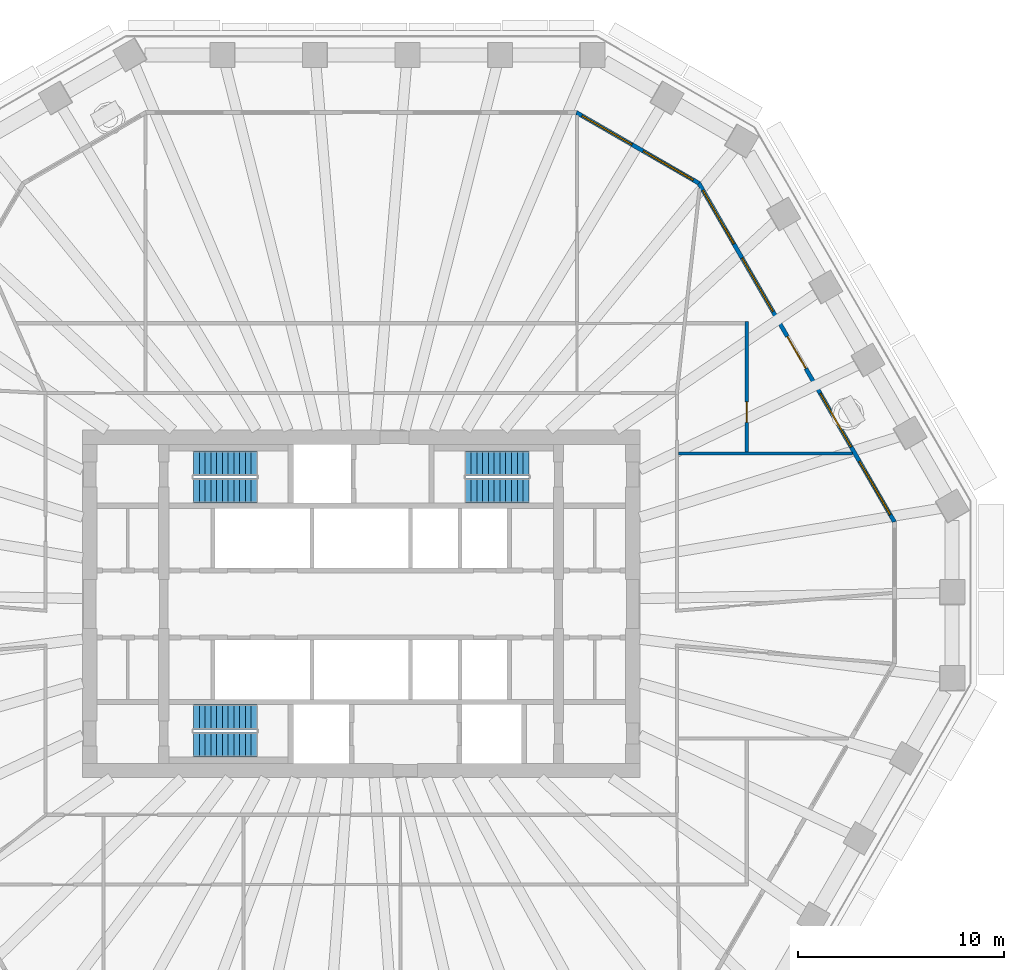
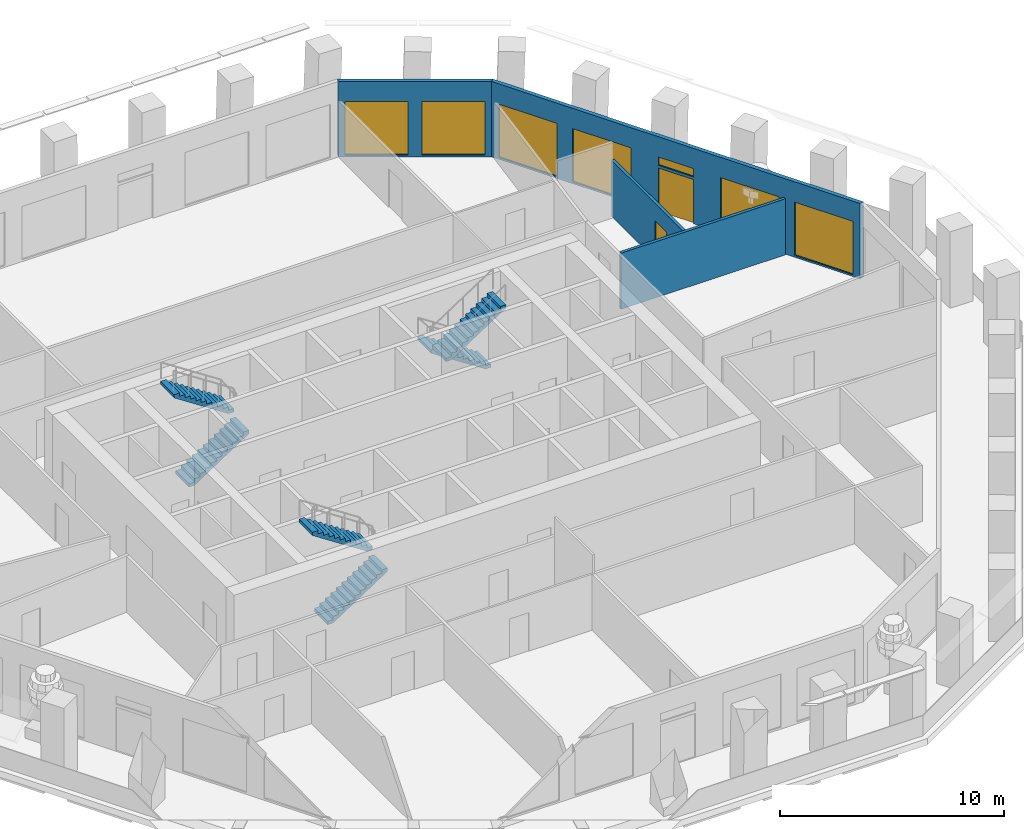
# One storey, part 8 of 12: 7 windows, 6 stair flights, 4 walls, 2 doors, 9 openings, 3 elements without a shape of their own.
"""IFC4 building model written with IfcOpenShell, lengths in metres."""

from ifc_helpers import new_model, si_unit, direction, frame, frame_2d, origin, place, context, subcontext, project, spatial, polyline, rectangle, outline, extrude, material, layer, layer_set, type_object, element, fill, aggregate, save


model = new_model("IFC4")

# Units and contexts
model_context = context("Model", 3, precision=1e-05, world=origin(), true_north=direction((0.0, 1.0)))
body_context = subcontext(model_context, "Body", "Model", "MODEL_VIEW")
ifc_project = project(units=[si_unit("LENGTHUNIT", "METRE"), si_unit("AREAUNIT", "SQUARE_METRE"), si_unit("VOLUMEUNIT", "CUBIC_METRE"), si_unit("PLANEANGLEUNIT", "RADIAN"), si_unit("MASSUNIT", "GRAM", prefix="KILO")], contexts=[model_context])

# Site, building, storey
site_placement = place(None, origin())
site = spatial("IfcSite", under=ifc_project, at=site_placement, CompositionType="ELEMENT")
building_placement = place(site_placement, origin())
building = spatial("IfcBuilding", under=site, at=building_placement, Name="Frailejon Research Tower", CompositionType="ELEMENT")
storey_placement = place(building_placement, frame((0.0, 0.0, 162.800048828125)))
storey = spatial("IfcBuildingStorey", under=building, at=storey_placement, Name="L35", CompositionType="ELEMENT", Elevation=162.800048828125)

# Wall
ifc_material_1 = material(Name="Gypsum board and masonry partition", Category="masonry")
ifc_layer_1 = layer(ifc_material_1, 0.14990234375)
ifc_layer_set_1 = layer_set([ifc_layer_1], Name="Laboratory partition, blockwork 150")
wall_type_1 = type_object("IfcWallType", Name="Laboratory partition, blockwork 150", PredefinedType="PARTITIONING", material=ifc_layer_set_1)
wall_1_placement = place(storey_placement, frame((15.425048828125, 7.32080078125, 0.0), z_axis=(0.0, 0.0, 1.0), x_axis=(1.0, 0.0, 0.0)))
element("IfcWall", 1, at=wall_1_placement, inside=storey, type_object=wall_type_1, Name="T:IW:L35:011", PredefinedType="PARTITIONING", context=body_context, shape_type="SweptSolid", body=[
    extrude(rectangle(XDim=8.46875, YDim=0.14990234375, at=frame_2d((4.234375, 0.0))), origin(), (0.0, 0.0, 1.0), 3.050048828125),
])

# Wall, opening, door
wall_2_placement = place(storey_placement, frame((18.75, 7.39599609375, 0.0), z_axis=(0.0, 0.0, 1.0), x_axis=(0.0, 1.0, 0.0)))
wall_2 = element("IfcWall", 2, at=wall_2_placement, inside=storey, type_object=wall_type_1, Name="T:IW:L35:015", PredefinedType="PARTITIONING", context=body_context, shape_type="SweptSolid", body=[
    extrude(rectangle(XDim=6.3291015625, YDim=0.14990234375, at=frame_2d((3.16455078125, 0.0))), origin(), (0.0, 0.0, 1.0), 3.050048828125),
])
opening_1_placement = place(wall_2_placement, frame((1.432373046875, 0.0, 0.0)))
opening_1 = element("IfcOpeningElement", 3, at=opening_1_placement, cuts=wall_2, Name="Opening D1759", PredefinedType="OPENING", context=body_context, shape_type="SweptSolid", body=[
    extrude(rectangle(XDim=1.0, YDim=2.10009765625, at=frame_2d((0.5, 1.050048828125))), frame((0.0, 0.0849609375, 0.0), z_axis=(0.0, -1.0, 0.0), x_axis=(1.0, 0.0, 0.0)), (0.0, 0.0, 1.0), 0.169921875),
])
ifc_material_2 = material(Name="Timber door leaf", Category="wood")
door_type_1 = type_object("IfcDoorType", Name="Door laboratory, timber, vision panel 1000", OperationType="NOTDEFINED", PredefinedType="DOOR", material=ifc_material_2)
door_1_placement = place(opening_1_placement, origin())
door_1 = element("IfcDoor", 4, at=door_1_placement, inside=storey, type_object=door_type_1, Name="D1759", OperationType="SINGLE_SWING_RIGHT", OverallHeight=2.10009765625, OverallWidth=1.0, PredefinedType="DOOR", context=body_context, shape_type="SweptSolid", body=[
    extrude(rectangle(XDim=1.0, YDim=2.10009765625, at=frame_2d((0.5, 1.050048828125))), frame((0.0, 0.02490234375, 0.0), z_axis=(0.0, -1.0, 0.0), x_axis=(1.0, 0.0, 0.0)), (0.0, 0.0, 1.0), 0.050048828125),
])
fill(opening_1, door_1)

# Wall, openings, door, windows
ifc_material_3 = material(Name="Concrete C40/50 precast window wall panel", Category="concrete")
ifc_layer_2 = layer(ifc_material_3, 0.199951171875)
ifc_layer_set_2 = layer_set([ifc_layer_2], Name="Window wall 200")
wall_type_2 = type_object("IfcWallType", Name="Window wall 200", PredefinedType="SOLIDWALL", material=ifc_layer_set_2)
wall_3_placement = place(storey_placement, frame((25.93212890625, 3.990478515625, 0.0), z_axis=(0.0, 0.0, 1.0), x_axis=(-0.500001707189, 0.866024418136, 0.0)))
wall_3 = element("IfcWall", 5, at=wall_3_placement, inside=storey, type_object=wall_type_2, Name="Exterior wall L35", PredefinedType="SOLIDWALL", context=body_context, shape_type="SweptSolid", body=[
    extrude(outline(polyline([(-0.02685546875, -0.10009765625), (0.97705078125, -0.10009765625), (1.98095703125, -0.10009765625), (2.98486328125, -0.10009765625), (3.98876953125, -0.10009765625), (4.99267578125, -0.10009765625), (5.99658203125, -0.10009765625), (7.00048828125, -0.10009765625), (8.00439453125, -0.10009765625), (9.00830078125, -0.10009765625), (10.01220703125, -0.10009765625), (11.01611328125, -0.10009765625), (12.02001953125, -0.10009765625), (13.02392578125, -0.10009765625), (14.02783203125, -0.10009765625), (15.03173828125, -0.10009765625), (16.03564453125, -0.10009765625), (17.03955078125, -0.10009765625), (18.04345703125, -0.10009765625), (19.04736328125, -0.10009765625), (18.99365234375, 0.10009765625), (17.995361328125, 0.10009765625), (16.9970703125, 0.10009765625), (15.998779296875, 0.10009765625), (15.000732421875, 0.10009765625), (14.00244140625, 0.10009765625), (13.004150390625, 0.10009765625), (12.005859375, 0.10009765625), (11.007568359375, 0.10009765625), (10.00927734375, 0.10009765625), (9.01123046875, 0.10009765625), (8.012939453125, 0.10009765625), (7.0146484375, 0.10009765625), (6.016357421875, 0.10009765625), (5.01806640625, 0.10009765625), (4.019775390625, 0.10009765625), (3.021728515625, 0.10009765625), (2.0234375, 0.10009765625), (1.025146484375, 0.10009765625), (0.02685546875, 0.10009765625), (-0.02685546875, -0.10009765625)])), origin(), (0.0, 0.0, 1.0), 4.099853515625),
])
opening_2_placement = place(wall_3_placement, frame((0.402099609375, 0.0, 0.10009765625)))
opening_2 = element("IfcOpeningElement", 6, at=opening_2_placement, cuts=wall_3, Name="Opening W4", PredefinedType="OPENING", context=body_context, shape_type="SweptSolid", body=[
    extrude(rectangle(XDim=3.0, YDim=2.89990234375, at=frame_2d((1.5, 1.449951171875))), frame((0.0, 0.10986328125, 0.0), z_axis=(0.0, -1.0, 0.0), x_axis=(1.0, 0.0, 0.0)), (0.0, 0.0, 1.0), 0.219970703125),
])
opening_3_placement = place(wall_3_placement, frame((4.206298828125, 0.0, 0.10009765625)))
opening_3 = element("IfcOpeningElement", 7, at=opening_3_placement, cuts=wall_3, Name="Opening W4", PredefinedType="OPENING", context=body_context, shape_type="SweptSolid", body=[
    extrude(rectangle(XDim=3.0, YDim=2.89990234375, at=frame_2d((1.5, 1.449951171875))), frame((0.0, 0.10986328125, 0.0), z_axis=(0.0, -1.0, 0.0), x_axis=(1.0, 0.0, 0.0)), (0.0, 0.0, 1.0), 0.219970703125),
])
opening_4_placement = place(wall_3_placement, frame((8.6103515625, 0.0, 0.0)))
opening_4 = element("IfcOpeningElement", 8, at=opening_4_placement, cuts=wall_3, Name="Opening LG35-1", PredefinedType="OPENING", context=body_context, shape_type="SweptSolid", body=[
    extrude(rectangle(XDim=1.800048828125, YDim=2.39990234375, at=frame_2d((0.89990234375, 1.199951171875))), frame((0.0, 0.10986328125, 0.0), z_axis=(0.0, -1.0, 0.0), x_axis=(1.0, 0.0, 0.0)), (0.0, 0.0, 1.0), 0.219970703125),
])
opening_5_placement = place(wall_3_placement, frame((8.6103515625, 0.0, 2.550048828125)))
opening_5 = element("IfcOpeningElement", 9, at=opening_5_placement, cuts=wall_3, Name="Opening W1", PredefinedType="OPENING", context=body_context, shape_type="SweptSolid", body=[
    extrude(rectangle(XDim=1.800048828125, YDim=0.449951171875, at=frame_2d((0.89990234375, 0.22509765625))), frame((0.0, 0.10986328125, 0.0), z_axis=(0.0, -1.0, 0.0), x_axis=(1.0, 0.0, 0.0)), (0.0, 0.0, 1.0), 0.219970703125),
])
opening_6_placement = place(wall_3_placement, frame((11.814453125, 0.0, 0.10009765625)))
opening_6 = element("IfcOpeningElement", 10, at=opening_6_placement, cuts=wall_3, Name="Opening W4", PredefinedType="OPENING", context=body_context, shape_type="SweptSolid", body=[
    extrude(rectangle(XDim=3.0, YDim=2.89990234375, at=frame_2d((1.5, 1.449951171875))), frame((0.0, 0.10986328125, 0.0), z_axis=(0.0, -1.0, 0.0), x_axis=(1.0, 0.0, 0.0)), (0.0, 0.0, 1.0), 0.219970703125),
])
opening_7_placement = place(wall_3_placement, frame((15.618408203125, 0.0, 0.10009765625)))
opening_7 = element("IfcOpeningElement", 11, at=opening_7_placement, cuts=wall_3, Name="Opening W4", PredefinedType="OPENING", context=body_context, shape_type="SweptSolid", body=[
    extrude(rectangle(XDim=3.0, YDim=2.89990234375, at=frame_2d((1.5, 1.449951171875))), frame((0.0, 0.10986328125, 0.0), z_axis=(0.0, -1.0, 0.0), x_axis=(1.0, 0.0, 0.0)), (0.0, 0.0, 1.0), 0.219970703125),
])
ifc_material_4 = material(Name="Aluminium framed glazed door leaf", Category="aluminium")
door_type_2 = type_object("IfcDoorType", Name="Loggia door 1800x2400", OperationType="DOUBLE_DOOR_SINGLE_SWING", PredefinedType="DOOR", material=ifc_material_4)
door_2_placement = place(opening_4_placement, origin())
door_2 = element("IfcDoor", 12, at=door_2_placement, inside=storey, type_object=door_type_2, Name="Door LG35-1", OperationType="DOUBLE_DOOR_SINGLE_SWING", OverallHeight=2.39990234375, OverallWidth=1.800048828125, PredefinedType="DOOR", context=body_context, shape_type="SweptSolid", body=[
    extrude(rectangle(XDim=1.800048828125, YDim=2.39990234375, at=frame_2d((0.89990234375, 1.199951171875))), frame((0.0, 0.02490234375, 0.0), z_axis=(0.0, -1.0, 0.0), x_axis=(1.0, 0.0, 0.0)), (0.0, 0.0, 1.0), 0.050048828125),
])
fill(opening_4, door_2)
ifc_material_5 = material(Name="Aluminium framed double glazing", Category="aluminium")
window_type_1 = type_object("IfcWindowType", Name="Window 1800x450", PartitioningType="SINGLE_PANEL", PredefinedType="WINDOW", material=ifc_material_5)
window_1_placement = place(opening_5_placement, origin())
window_1 = element("IfcWindow", 13, at=window_1_placement, inside=storey, type_object=window_type_1, Name="Window L35", OverallHeight=0.449951171875, OverallWidth=1.800048828125, PartitioningType="SINGLE_PANEL", PredefinedType="WINDOW", context=body_context, shape_type="SweptSolid", body=[
    extrude(rectangle(XDim=1.800048828125, YDim=0.449951171875, at=frame_2d((0.89990234375, 0.22509765625))), frame((0.0, 0.030029296875, 0.0), z_axis=(0.0, -1.0, 0.0), x_axis=(1.0, 0.0, 0.0)), (0.0, 0.0, 1.0), 0.06005859375),
])
fill(opening_5, window_1)
ifc_material_6 = material(Name="Aluminium framed double glazing", Category="aluminium")
window_type_2 = type_object("IfcWindowType", Name="Window 3000x2900", PartitioningType="SINGLE_PANEL", PredefinedType="WINDOW", material=ifc_material_6)
window_2_placement = place(opening_2_placement, origin())
window_2 = element("IfcWindow", 14, at=window_2_placement, inside=storey, type_object=window_type_2, Name="Window L35", OverallHeight=2.89990234375, OverallWidth=3.0, PartitioningType="SINGLE_PANEL", PredefinedType="WINDOW", context=body_context, shape_type="SweptSolid", body=[
    extrude(rectangle(XDim=3.0, YDim=2.89990234375, at=frame_2d((1.5, 1.449951171875))), frame((0.0, 0.030029296875, 0.0), z_axis=(0.0, -1.0, 0.0), x_axis=(1.0, 0.0, 0.0)), (0.0, 0.0, 1.0), 0.06005859375),
])
fill(opening_2, window_2)
window_3_placement = place(opening_3_placement, origin())
window_3 = element("IfcWindow", 15, at=window_3_placement, inside=storey, type_object=window_type_2, Name="Window L35", OverallHeight=2.89990234375, OverallWidth=3.0, PartitioningType="SINGLE_PANEL", PredefinedType="WINDOW", context=body_context, shape_type="SweptSolid", body=[
    extrude(rectangle(XDim=3.0, YDim=2.89990234375, at=frame_2d((1.5, 1.449951171875))), frame((0.0, 0.030029296875, 0.0), z_axis=(0.0, -1.0, 0.0), x_axis=(1.0, 0.0, 0.0)), (0.0, 0.0, 1.0), 0.06005859375),
])
fill(opening_3, window_3)
window_4_placement = place(opening_6_placement, origin())
window_4 = element("IfcWindow", 16, at=window_4_placement, inside=storey, type_object=window_type_2, Name="Window L35", OverallHeight=2.89990234375, OverallWidth=3.0, PartitioningType="SINGLE_PANEL", PredefinedType="WINDOW", context=body_context, shape_type="SweptSolid", body=[
    extrude(rectangle(XDim=3.0, YDim=2.89990234375, at=frame_2d((1.5, 1.449951171875))), frame((0.0, 0.030029296875, 0.0), z_axis=(0.0, -1.0, 0.0), x_axis=(1.0, 0.0, 0.0)), (0.0, 0.0, 1.0), 0.06005859375),
])
fill(opening_6, window_4)
window_5_placement = place(opening_7_placement, origin())
window_5 = element("IfcWindow", 17, at=window_5_placement, inside=storey, type_object=window_type_2, Name="Window L35", OverallHeight=2.89990234375, OverallWidth=3.0, PartitioningType="SINGLE_PANEL", PredefinedType="WINDOW", context=body_context, shape_type="SweptSolid", body=[
    extrude(rectangle(XDim=3.0, YDim=2.89990234375, at=frame_2d((1.5, 1.449951171875))), frame((0.0, 0.030029296875, 0.0), z_axis=(0.0, -1.0, 0.0), x_axis=(1.0, 0.0, 0.0)), (0.0, 0.0, 1.0), 0.06005859375),
])
fill(opening_7, window_5)

# Wall, openings, windows
wall_4_placement = place(storey_placement, frame((16.421875, 20.462646484375, 0.0), z_axis=(0.0, 0.0, 1.0), x_axis=(-0.866029458321, 0.49999297727, 0.0)))
wall_4 = element("IfcWall", 18, at=wall_4_placement, inside=storey, type_object=wall_type_2, Name="Exterior wall L35", PredefinedType="SOLIDWALL", context=body_context, shape_type="SweptSolid", body=[
    extrude(outline(polyline([(-0.02685546875, -0.10009765625), (1.1279296875, -0.10009765625), (2.282470703125, -0.10009765625), (3.437255859375, -0.10009765625), (4.592041015625, -0.10009765625), (5.74658203125, -0.10009765625), (6.9013671875, -0.10009765625), (6.84765625, 0.10009765625), (5.7109375, 0.10009765625), (4.573974609375, 0.10009765625), (3.437255859375, 0.10009765625), (2.300537109375, 0.10009765625), (1.16357421875, 0.10009765625), (0.02685546875, 0.10009765625), (-0.02685546875, -0.10009765625)])), origin(), (0.0, 0.0, 1.0), 4.099853515625),
])
opening_8_placement = place(wall_4_placement, frame((0.318603515625, 0.0, 0.10009765625)))
opening_8 = element("IfcOpeningElement", 19, at=opening_8_placement, cuts=wall_4, Name="Opening W3", PredefinedType="OPENING", context=body_context, shape_type="SweptSolid", body=[
    extrude(rectangle(XDim=2.800048828125, YDim=2.89990234375, at=frame_2d((1.39990234375, 1.449951171875))), frame((0.0, 0.10986328125, 0.0), z_axis=(0.0, -1.0, 0.0), x_axis=(1.0, 0.0, 0.0)), (0.0, 0.0, 1.0), 0.219970703125),
])
opening_9_placement = place(wall_4_placement, frame((3.756103515625, 0.0, 0.10009765625)))
opening_9 = element("IfcOpeningElement", 20, at=opening_9_placement, cuts=wall_4, Name="Opening W3", PredefinedType="OPENING", context=body_context, shape_type="SweptSolid", body=[
    extrude(rectangle(XDim=2.800048828125, YDim=2.89990234375, at=frame_2d((1.39990234375, 1.449951171875))), frame((0.0, 0.10986328125, 0.0), z_axis=(0.0, -1.0, 0.0), x_axis=(1.0, 0.0, 0.0)), (0.0, 0.0, 1.0), 0.219970703125),
])
ifc_material_7 = material(Name="Aluminium framed double glazing", Category="aluminium")
window_type_3 = type_object("IfcWindowType", Name="Window 2800x2900", PartitioningType="SINGLE_PANEL", PredefinedType="WINDOW", material=ifc_material_7)
window_6_placement = place(opening_8_placement, origin())
window_6 = element("IfcWindow", 21, at=window_6_placement, inside=storey, type_object=window_type_3, Name="Window L35", OverallHeight=2.89990234375, OverallWidth=2.800048828125, PartitioningType="SINGLE_PANEL", PredefinedType="WINDOW", context=body_context, shape_type="SweptSolid", body=[
    extrude(rectangle(XDim=2.800048828125, YDim=2.89990234375, at=frame_2d((1.39990234375, 1.449951171875))), frame((0.0, 0.030029296875, 0.0), z_axis=(0.0, -1.0, 0.0), x_axis=(1.0, 0.0, 0.0)), (0.0, 0.0, 1.0), 0.06005859375),
])
fill(opening_8, window_6)
window_7_placement = place(opening_9_placement, origin())
window_7 = element("IfcWindow", 22, at=window_7_placement, inside=storey, type_object=window_type_3, Name="Window L35", OverallHeight=2.89990234375, OverallWidth=2.800048828125, PartitioningType="SINGLE_PANEL", PredefinedType="WINDOW", context=body_context, shape_type="SweptSolid", body=[
    extrude(rectangle(XDim=2.800048828125, YDim=2.89990234375, at=frame_2d((1.39990234375, 1.449951171875))), frame((0.0, 0.030029296875, 0.0), z_axis=(0.0, -1.0, 0.0), x_axis=(1.0, 0.0, 0.0)), (0.0, 0.0, 1.0), 0.06005859375),
])
fill(opening_9, window_7)

# Stair, stair flights
ifc_material_8 = material(Name="Concrete C50/60", Category="concrete")
stair_type = type_object("IfcStairType", Name="Exit stair 24 risers", PredefinedType="HALF_TURN_STAIR", material=ifc_material_8)
stair_1_placement = place(storey_placement, origin())
stair_1 = element("IfcStair", 23, at=stair_1_placement, inside=storey, type_object=stair_type, Name="L35 Exit stair ST1", PredefinedType="HALF_TURN_STAIR")
ifc_material_9 = material(Name="Concrete C50/60", Category="concrete")
ifc_layer_3 = layer(ifc_material_9, 0.14990234375)
ifc_layer_set_3 = layer_set([ifc_layer_3], Name="Stair flight 12 risers")
stair_flight_type = type_object("IfcStairFlightType", Name="Stair flight 12 risers", PredefinedType="STRAIGHT", material=ifc_layer_set_3)
stair_flight_1_placement = place(storey_placement, frame((-8.14990234375, 5.5, 0.0), z_axis=(0.0, 0.0, 1.0), x_axis=(1.0, 0.0, 0.0)))
stair_flight_1 = element("IfcStairFlight", 24, at=stair_flight_1_placement, type_object=stair_flight_type, Name="ST1 flight 1", NumberOfRisers=12, NumberOfTreads=11, PredefinedType="STRAIGHT", RiserHeight=0.183333333, TreadLength=0.28, context=body_context, shape_type="SweptSolid", body=[
    extrude(outline(polyline([(0.0, 0.0), (0.0, 0.183349609375), (0.280029296875, 0.183349609375), (0.280029296875, 0.36669921875), (0.56005859375, 0.36669921875), (0.56005859375, 0.550048828125), (0.840087890625, 0.550048828125), (0.840087890625, 0.7333984375), (1.1201171875, 0.7333984375), (1.1201171875, 0.916748046875), (1.39990234375, 0.916748046875), (1.39990234375, 1.10009765625), (1.679931640625, 1.10009765625), (1.679931640625, 1.283447265625), (1.9599609375, 1.283447265625), (1.9599609375, 1.466552734375), (2.239990234375, 1.466552734375), (2.239990234375, 1.64990234375), (2.52001953125, 1.64990234375), (2.52001953125, 1.833251953125), (2.800048828125, 1.833251953125), (2.800048828125, 2.0166015625), (3.080078125, 2.0166015625), (3.080078125, 2.199951171875), (3.080078125, 1.83740234375), (0.273681640625, 0.0), (0.0, 0.0)])), frame((0.0, 0.60009765625, 0.0), z_axis=(0.0, -1.0, 0.0), x_axis=(1.0, 0.0, 0.0)), (0.0, 0.0, 1.0), 1.199951171875),
])
stair_flight_2_placement = place(storey_placement, frame((-5.070068359375, 6.85009765625, 2.199951171875), z_axis=(0.0, 0.0, 1.0), x_axis=(-1.0, 0.0, 0.0)))
stair_flight_2 = element("IfcStairFlight", 25, at=stair_flight_2_placement, type_object=stair_flight_type, Name="ST1 flight 2", NumberOfRisers=12, NumberOfTreads=11, PredefinedType="STRAIGHT", RiserHeight=0.183333333, TreadLength=0.28, context=body_context, shape_type="SweptSolid", body=[
    extrude(outline(polyline([(0.0, 0.0), (0.0, 0.183349609375), (0.280029296875, 0.183349609375), (0.280029296875, 0.36669921875), (0.56005859375, 0.36669921875), (0.56005859375, 0.550048828125), (0.840087890625, 0.550048828125), (0.840087890625, 0.7333984375), (1.1201171875, 0.7333984375), (1.1201171875, 0.916748046875), (1.39990234375, 0.916748046875), (1.39990234375, 1.10009765625), (1.679931640625, 1.10009765625), (1.679931640625, 1.283447265625), (1.9599609375, 1.283447265625), (1.9599609375, 1.466552734375), (2.239990234375, 1.466552734375), (2.239990234375, 1.64990234375), (2.52001953125, 1.64990234375), (2.52001953125, 1.833251953125), (2.800048828125, 1.833251953125), (2.800048828125, 2.0166015625), (3.080078125, 2.0166015625), (3.080078125, 2.199951171875), (3.080078125, 1.83740234375), (0.273681640625, 0.0), (0.0, 0.0)])), frame((0.0, 0.60009765625, 0.0), z_axis=(0.0, -1.0, 0.0), x_axis=(1.0, 0.0, 0.0)), (0.0, 0.0, 1.0), 1.199951171875),
])
aggregate(stair_1, [stair_flight_1, stair_flight_2])

stair_2_placement = place(storey_placement, origin())
stair_2 = element("IfcStair", 26, at=stair_2_placement, inside=storey, type_object=stair_type, Name="L35 Exit stair ST2", PredefinedType="HALF_TURN_STAIR")
stair_flight_3_placement = place(storey_placement, frame((-8.14990234375, -6.85009765625, 0.0), z_axis=(0.0, 0.0, 1.0), x_axis=(1.0, 0.0, 0.0)))
stair_flight_3 = element("IfcStairFlight", 27, at=stair_flight_3_placement, type_object=stair_flight_type, Name="ST2 flight 1", NumberOfRisers=12, NumberOfTreads=11, PredefinedType="STRAIGHT", RiserHeight=0.183333333, TreadLength=0.28, context=body_context, shape_type="SweptSolid", body=[
    extrude(outline(polyline([(0.0, 0.0), (0.0, 0.183349609375), (0.280029296875, 0.183349609375), (0.280029296875, 0.36669921875), (0.56005859375, 0.36669921875), (0.56005859375, 0.550048828125), (0.840087890625, 0.550048828125), (0.840087890625, 0.7333984375), (1.1201171875, 0.7333984375), (1.1201171875, 0.916748046875), (1.39990234375, 0.916748046875), (1.39990234375, 1.10009765625), (1.679931640625, 1.10009765625), (1.679931640625, 1.283447265625), (1.9599609375, 1.283447265625), (1.9599609375, 1.466552734375), (2.239990234375, 1.466552734375), (2.239990234375, 1.64990234375), (2.52001953125, 1.64990234375), (2.52001953125, 1.833251953125), (2.800048828125, 1.833251953125), (2.800048828125, 2.0166015625), (3.080078125, 2.0166015625), (3.080078125, 2.199951171875), (3.080078125, 1.83740234375), (0.273681640625, 0.0), (0.0, 0.0)])), frame((0.0, 0.60009765625, 0.0), z_axis=(0.0, -1.0, 0.0), x_axis=(1.0, 0.0, 0.0)), (0.0, 0.0, 1.0), 1.199951171875),
])
stair_flight_4_placement = place(storey_placement, frame((-5.070068359375, -5.5, 2.199951171875), z_axis=(0.0, 0.0, 1.0), x_axis=(-1.0, 0.0, 0.0)))
stair_flight_4 = element("IfcStairFlight", 28, at=stair_flight_4_placement, type_object=stair_flight_type, Name="ST2 flight 2", NumberOfRisers=12, NumberOfTreads=11, PredefinedType="STRAIGHT", RiserHeight=0.183333333, TreadLength=0.28, context=body_context, shape_type="SweptSolid", body=[
    extrude(outline(polyline([(0.0, 0.0), (0.0, 0.183349609375), (0.280029296875, 0.183349609375), (0.280029296875, 0.36669921875), (0.56005859375, 0.36669921875), (0.56005859375, 0.550048828125), (0.840087890625, 0.550048828125), (0.840087890625, 0.7333984375), (1.1201171875, 0.7333984375), (1.1201171875, 0.916748046875), (1.39990234375, 0.916748046875), (1.39990234375, 1.10009765625), (1.679931640625, 1.10009765625), (1.679931640625, 1.283447265625), (1.9599609375, 1.283447265625), (1.9599609375, 1.466552734375), (2.239990234375, 1.466552734375), (2.239990234375, 1.64990234375), (2.52001953125, 1.64990234375), (2.52001953125, 1.833251953125), (2.800048828125, 1.833251953125), (2.800048828125, 2.0166015625), (3.080078125, 2.0166015625), (3.080078125, 2.199951171875), (3.080078125, 1.83740234375), (0.273681640625, 0.0), (0.0, 0.0)])), frame((0.0, 0.60009765625, 0.0), z_axis=(0.0, -1.0, 0.0), x_axis=(1.0, 0.0, 0.0)), (0.0, 0.0, 1.0), 1.199951171875),
])
aggregate(stair_2, [stair_flight_3, stair_flight_4])

stair_3_placement = place(storey_placement, origin())
stair_3 = element("IfcStair", 29, at=stair_3_placement, inside=storey, type_object=stair_type, Name="L35 Exit stair ST3", PredefinedType="HALF_TURN_STAIR")
stair_flight_5_placement = place(storey_placement, frame((8.14990234375, 6.85009765625, 0.0), z_axis=(0.0, 0.0, 1.0), x_axis=(-1.0, 0.0, 0.0)))
stair_flight_5 = element("IfcStairFlight", 30, at=stair_flight_5_placement, type_object=stair_flight_type, Name="ST3 flight 1", NumberOfRisers=12, NumberOfTreads=11, PredefinedType="STRAIGHT", RiserHeight=0.183333333, TreadLength=0.28, context=body_context, shape_type="SweptSolid", body=[
    extrude(outline(polyline([(0.0, 0.0), (0.0, 0.183349609375), (0.280029296875, 0.183349609375), (0.280029296875, 0.36669921875), (0.56005859375, 0.36669921875), (0.56005859375, 0.550048828125), (0.840087890625, 0.550048828125), (0.840087890625, 0.7333984375), (1.1201171875, 0.7333984375), (1.1201171875, 0.916748046875), (1.39990234375, 0.916748046875), (1.39990234375, 1.10009765625), (1.679931640625, 1.10009765625), (1.679931640625, 1.283447265625), (1.9599609375, 1.283447265625), (1.9599609375, 1.466552734375), (2.239990234375, 1.466552734375), (2.239990234375, 1.64990234375), (2.52001953125, 1.64990234375), (2.52001953125, 1.833251953125), (2.800048828125, 1.833251953125), (2.800048828125, 2.0166015625), (3.080078125, 2.0166015625), (3.080078125, 2.199951171875), (3.080078125, 1.83740234375), (0.273681640625, 0.0), (0.0, 0.0)])), frame((0.0, 0.60009765625, 0.0), z_axis=(0.0, -1.0, 0.0), x_axis=(1.0, 0.0, 0.0)), (0.0, 0.0, 1.0), 1.199951171875),
])
stair_flight_6_placement = place(storey_placement, frame((5.070068359375, 5.5, 2.199951171875), z_axis=(0.0, 0.0, 1.0), x_axis=(1.0, 0.0, 0.0)))
stair_flight_6 = element("IfcStairFlight", 31, at=stair_flight_6_placement, type_object=stair_flight_type, Name="ST3 flight 2", NumberOfRisers=12, NumberOfTreads=11, PredefinedType="STRAIGHT", RiserHeight=0.183333333, TreadLength=0.28, context=body_context, shape_type="SweptSolid", body=[
    extrude(outline(polyline([(0.0, 0.0), (0.0, 0.183349609375), (0.280029296875, 0.183349609375), (0.280029296875, 0.36669921875), (0.56005859375, 0.36669921875), (0.56005859375, 0.550048828125), (0.840087890625, 0.550048828125), (0.840087890625, 0.7333984375), (1.1201171875, 0.7333984375), (1.1201171875, 0.916748046875), (1.39990234375, 0.916748046875), (1.39990234375, 1.10009765625), (1.679931640625, 1.10009765625), (1.679931640625, 1.283447265625), (1.9599609375, 1.283447265625), (1.9599609375, 1.466552734375), (2.239990234375, 1.466552734375), (2.239990234375, 1.64990234375), (2.52001953125, 1.64990234375), (2.52001953125, 1.833251953125), (2.800048828125, 1.833251953125), (2.800048828125, 2.0166015625), (3.080078125, 2.0166015625), (3.080078125, 2.199951171875), (3.080078125, 1.83740234375), (0.273681640625, 0.0), (0.0, 0.0)])), frame((0.0, 0.60009765625, 0.0), z_axis=(0.0, -1.0, 0.0), x_axis=(1.0, 0.0, 0.0)), (0.0, 0.0, 1.0), 1.199951171875),
])
aggregate(stair_3, [stair_flight_5, stair_flight_6])

save(model, "model.ifc")
